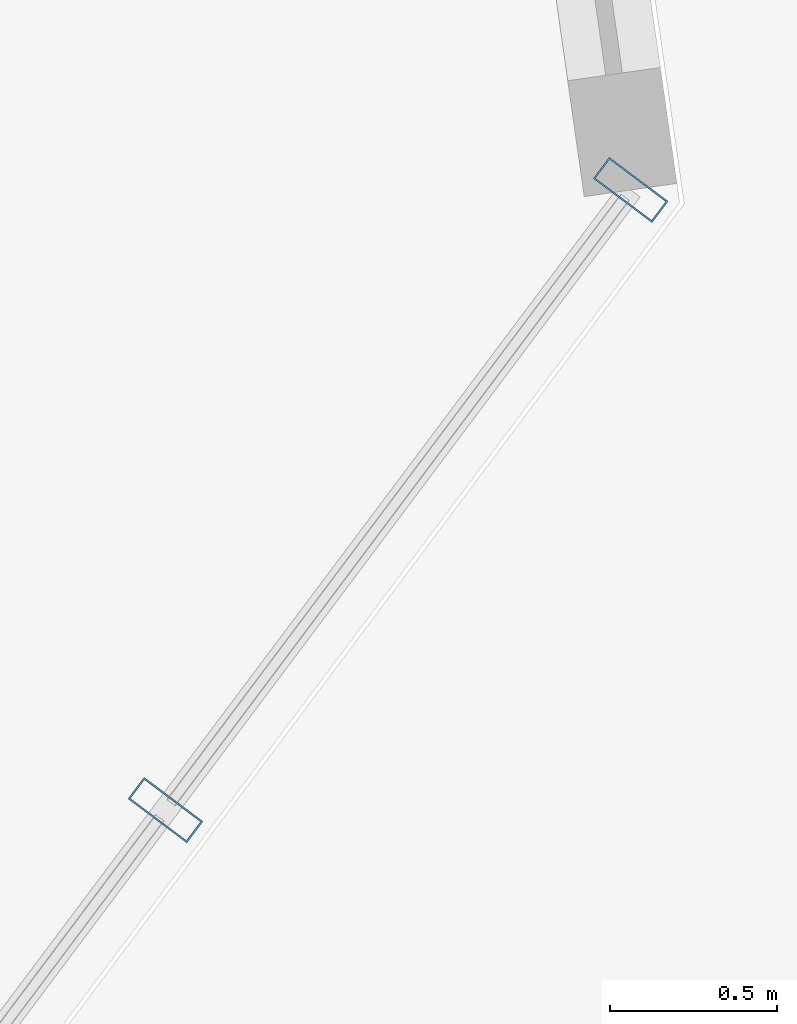
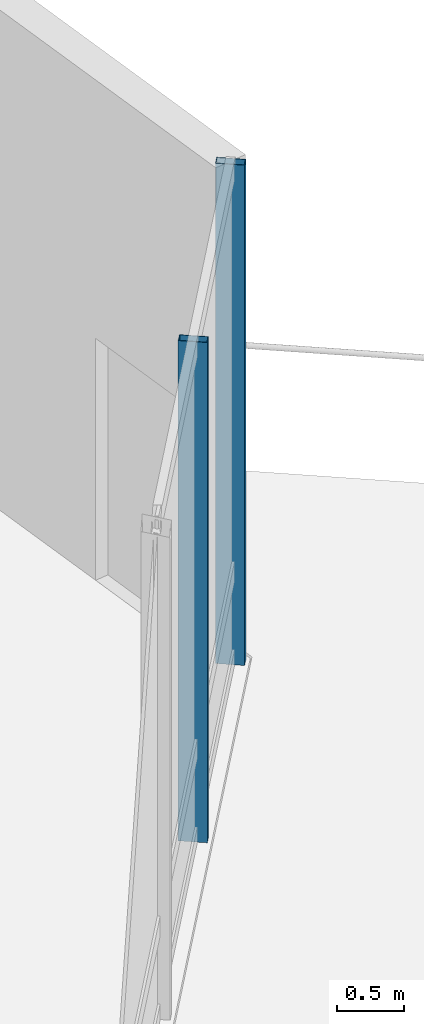
# One storey, part 14 of 30: 2 members, 1 element without a shape of its own.
"""IFC4 building model written with IfcOpenShell, lengths in metres."""

import ifcopenshell
import ifcopenshell.guid

model = None  # the IFC model being written
_history = None  # IfcOwnerHistory: only IFC2X3 demands one
_inside = {}  # id of a spatial element -> (the spatial element, [elements in it])
_under = {}  # id of a project, library or spatial element -> (it, [spatial elements below it])
_declared = {}  # id of a project -> (the project, [libraries it declares])
_typed = {}  # id of a type object -> (the type object, [elements of that type])
_made_of = {}  # id of a material, layer set ... -> (it, [elements and type objects made of it])


def new_model(schema):
    """Start an empty IFC model of exactly this schema.

    Asked for "IFC4X3", IfcOpenShell would pick the latest addendum, in which some entities
    have other attributes; the version numbers below select the first issue.
    IFC2X3 requires an IfcOwnerHistory on every rooted entity: one is made here for all.
    """
    global model, _history
    if schema == "IFC4X3":
        model = ifcopenshell.file(schema_version=(4, 3, 0, 0))
    else:
        model = ifcopenshell.file(schema=schema)
    _inside.clear()
    _under.clear()
    _declared.clear()
    _typed.clear()
    _made_of.clear()
    _history = None
    if model.schema == "IFC2X3":
        org = make("IfcOrganization", Name="unknown")
        user = make(
            "IfcPersonAndOrganization",
            ThePerson=make("IfcPerson", FamilyName="unknown"),
            TheOrganization=org,
        )
        app = make(
            "IfcApplication",
            ApplicationDeveloper=org,
            Version="unknown",
            ApplicationFullName="unknown",
            ApplicationIdentifier="unknown",
        )
        _history = make(
            "IfcOwnerHistory",
            OwningUser=user,
            OwningApplication=app,
            ChangeAction="ADDED",
            CreationDate=0,
        )
    return model


def make(cls, **values):
    """One entity of the class cls with the attributes given. An attribute that is None is left unset."""
    return model.create_entity(
        cls, **{name: value for name, value in values.items() if value is not None}
    )


def rooted(cls, **values):
    """An entity with a GlobalId (a new one), such as an element, a storey or a relation."""
    return make(cls, GlobalId=ifcopenshell.guid.new(), OwnerHistory=_history, **values)


def si_unit(unit_type, name, prefix=None):
    """IfcSIUnit, for example si_unit("LENGTHUNIT", "METRE", prefix="MILLI")."""
    return make("IfcSIUnit", UnitType=unit_type, Prefix=prefix, Name=name)


def assignment(units):
    """IfcUnitAssignment: the units of a project."""
    return None if units is None else make("IfcUnitAssignment", Units=units)


def point(xyz):
    """IfcCartesianPoint."""
    return None if xyz is None else make("IfcCartesianPoint", Coordinates=xyz)


def direction(xyz):
    """IfcDirection."""
    return None if xyz is None else make("IfcDirection", DirectionRatios=xyz)


def frame(location, z_axis=None, x_axis=None):
    """IfcAxis2Placement3D, a coordinate frame: its origin and axes. An axis left out is left unset."""
    return make(
        "IfcAxis2Placement3D",
        Location=point(location),
        Axis=direction(z_axis),
        RefDirection=direction(x_axis),
    )


def frame_2d(location, x_axis=None):
    """IfcAxis2Placement2D, a coordinate frame in the plane: its origin and x axis."""
    return make(
        "IfcAxis2Placement2D", Location=point(location), RefDirection=direction(x_axis)
    )


def origin():
    """The frame at (0, 0, 0) with its axes left unset."""
    return frame((0.0, 0.0, 0.0))


def origin_2d():
    """The frame at (0, 0) in the plane with its x axis left unset."""
    return frame_2d((0.0, 0.0))


def place(relative_to, where):
    """IfcLocalPlacement: puts the frame where relative to a parent placement (None: the world)."""
    return make(
        "IfcLocalPlacement", PlacementRelTo=relative_to, RelativePlacement=where
    )


def context(
    kind, dimensions, precision=None, world=None, true_north=None, identifier=None
):
    """IfcGeometricRepresentationContext, for example the 3D "Model" context."""
    return make(
        "IfcGeometricRepresentationContext",
        ContextIdentifier=identifier,
        ContextType=kind,
        CoordinateSpaceDimension=dimensions,
        Precision=precision,
        WorldCoordinateSystem=world,
        TrueNorth=true_north,
    )


def subcontext(parent, identifier, kind, view, scale=None):
    """IfcGeometricRepresentationSubContext, for example "Body" below "Model"."""
    return make(
        "IfcGeometricRepresentationSubContext",
        ContextIdentifier=identifier,
        ContextType=kind,
        ParentContext=parent,
        TargetScale=scale,
        TargetView=view,
    )


def project(units=None, contexts=None):
    """IfcProject with its units and contexts."""
    return rooted(
        "IfcProject",
        Name="project",
        RepresentationContexts=contexts,
        UnitsInContext=assignment(units),
    )


def spatial(cls, under=None, at=None, **own):
    """A site, building, storey or space (cls), placed at a placement, below another one or the project."""
    s = rooted(cls, ObjectPlacement=at, **own)
    if under is not None:
        _under.setdefault(under.id(), (under, []))[1].append(s)
    return s


def profile(cls, at=None, kind="AREA", **sizes):
    """A parametric profile (cls). Its sizes go by their IFC names, for example OverallWidth=200.0."""
    return make(cls, ProfileType=kind, Position=at, **sizes)


def hollow_rectangle(**sizes):
    """IfcRectangleHollowProfileDef."""
    return profile("IfcRectangleHollowProfileDef", **sizes)


def extrude(swept, where, along, depth):
    """IfcExtrudedAreaSolid: the profile swept, set in the frame where, extruded along a direction by depth."""
    return make(
        "IfcExtrudedAreaSolid",
        SweptArea=swept,
        Position=where,
        ExtrudedDirection=direction(along),
        Depth=depth,
    )


def shape(context_of_items, identifier, shape_type, items):
    """IfcShapeRepresentation: the items that make up one representation, for example the "Body"."""
    return make(
        "IfcShapeRepresentation",
        ContextOfItems=context_of_items,
        RepresentationIdentifier=identifier,
        RepresentationType=shape_type,
        Items=items,
    )


def material(Name=None, Category=None):
    """IfcMaterial."""
    return make("IfcMaterial", Name=Name, Category=Category)


def layer(
    of_material, thickness, ventilated=None, Name=None, Category=None, Priority=None
):
    """IfcMaterialLayer: one layer of a wall or slab, of a material (None: an air gap)."""
    return make(
        "IfcMaterialLayer",
        Material=of_material,
        LayerThickness=thickness,
        IsVentilated=ventilated,
        Name=Name,
        Category=Category,
        Priority=Priority,
    )


def layer_set(layers, Name=None):
    """IfcMaterialLayerSet."""
    return make("IfcMaterialLayerSet", MaterialLayers=layers, LayerSetName=Name)


def material_profile(
    of_material, cross_section, Name=None, Category=None, Priority=None
):
    """IfcMaterialProfile: a cross section and its material."""
    return make(
        "IfcMaterialProfile",
        Name=Name,
        Material=of_material,
        Profile=cross_section,
        Priority=Priority,
        Category=Category,
    )


def profile_set(profiles, Name=None, composite=None):
    """IfcMaterialProfileSet."""
    return make(
        "IfcMaterialProfileSet",
        Name=Name,
        MaterialProfiles=profiles,
        CompositeProfile=composite,
    )


def made_of(thing, what):
    """Note that an element or type object is made of a material, layer set ...; save() writes the relation."""
    if what is not None:
        _made_of.setdefault(what.id(), (what, []))[1].append(thing)
    return thing


def type_object(cls, material=None, **own):
    """A type object (cls), such as IfcWallType, which elements share."""
    return made_of(rooted(cls, **own), material)


def element(
    cls,
    number,
    at=None,
    inside=None,
    cuts=None,
    type_object=None,
    material=None,
    context=None,
    identifier="Body",
    shape_type=None,
    held_by="IfcProductDefinitionShape",
    body=None,
    shapes=None,
    **own,
):
    """One element of the class cls, such as IfcWall. Its Tag is "e" and its number.

    at: its placement. inside: the storey or other place that contains it. cuts: it is an
    opening in that element (IfcRelVoidsElement). A single representation is given by context,
    identifier, shape_type and body (its items); several are given by shapes. held_by: the class
    of the entity that holds the representations. save() writes the other relations.
    """
    e = rooted(cls, Tag="e%d" % number, ObjectPlacement=at, **own)
    if body is not None:
        shapes = [shape(context, identifier, shape_type, body)]
    if shapes is not None:
        e.Representation = make(held_by, Representations=shapes)
    if inside is not None:
        _inside.setdefault(inside.id(), (inside, []))[1].append(e)
    if cuts is not None:
        rooted(
            "IfcRelVoidsElement", RelatingBuildingElement=cuts, RelatedOpeningElement=e
        )
    if type_object is not None:
        _typed.setdefault(type_object.id(), (type_object, []))[1].append(e)
    return made_of(e, material)


def aggregate(whole, parts):
    """IfcRelAggregates: a whole, such as a stair, and the parts it consists of."""
    return rooted("IfcRelAggregates", RelatingObject=whole, RelatedObjects=parts)


def save(model, path):
    """Write the relations noted so far, then the file.

    IfcRelAggregates (storeys below a building ...), IfcRelContainedInSpatialStructure (elements
    in a storey), IfcRelDefinesByType, IfcRelAssociatesMaterial and IfcRelDeclares: one each for
    every whole, place, type object, material and project.
    """
    for whole, parts in _under.values():
        aggregate(whole, parts)
    for where, things in _inside.values():
        rooted(
            "IfcRelContainedInSpatialStructure",
            RelatedElements=things,
            RelatingStructure=where,
        )
    for kind, things in _typed.values():
        rooted("IfcRelDefinesByType", RelatedObjects=things, RelatingType=kind)
    for what, things in _made_of.values():
        rooted("IfcRelAssociatesMaterial", RelatedObjects=things, RelatingMaterial=what)
    for by, libraries in _declared.values():
        rooted("IfcRelDeclares", RelatingContext=by, RelatedDefinitions=libraries)
    model.write(path)


model = new_model("IFC4")

# Units and contexts
model_context = context("Model", 3, precision=1e-05, world=origin(), true_north=direction((0.0, 1.0)))
body_context = subcontext(model_context, "Body", "Model", "MODEL_VIEW")
ifc_project = project(units=[si_unit("LENGTHUNIT", "METRE"), si_unit("AREAUNIT", "SQUARE_METRE"), si_unit("VOLUMEUNIT", "CUBIC_METRE"), si_unit("PLANEANGLEUNIT", "RADIAN"), si_unit("MASSUNIT", "GRAM", prefix="KILO")], contexts=[model_context])

# Site, building, storey
site_placement = place(None, origin())
site = spatial("IfcSite", under=ifc_project, at=site_placement, CompositionType="ELEMENT")
building_placement = place(site_placement, origin())
building = spatial("IfcBuilding", under=site, at=building_placement, Name="Hatsunagi Terrace Concourse", CompositionType="ELEMENT")
storey_placement = place(building_placement, frame((0.0, 0.0, 130.050048828125)))
storey = spatial("IfcBuildingStorey", under=building, at=storey_placement, Name="L34", CompositionType="ELEMENT", Elevation=130.050048828125)

# Curtain wall, members
ifc_material_1 = material(Name="Anodised Aluminium Alloy 6063-T5", Category="aluminium")
ifc_layer = layer(ifc_material_1, 0.199951171875)
ifc_layer_set = layer_set([ifc_layer], Name="SkyLobbyAtrium_CW05")
curtain_wall_type = type_object("IfcCurtainWallType", Name="SkyLobbyAtrium_CW05", PredefinedType="NOTDEFINED", material=ifc_layer_set)
curtain_wall_placement = place(storey_placement, origin())
curtain_wall = element("IfcCurtainWall", 1, at=curtain_wall_placement, inside=storey, type_object=curtain_wall_type, Name="Unitised Curtain Wall CW-05 CW-L34-03", PredefinedType="NOTDEFINED")
ifc_material_2 = material(Name="Anodised Aluminium Alloy 6063-T5", Category="aluminium")
ifc_material_profile = material_profile(ifc_material_2, hollow_rectangle(XDim=0.080078125, YDim=0.219970703125, WallThickness=0.0048828125, at=origin_2d()), Name="ALU-MUL-220x80x5")
ifc_profile_set = profile_set([ifc_material_profile], Name="Anodised Aluminium Alloy 6063-T5")
member_type = type_object("IfcMemberType", Name="CurtainWallMullion_Heavy_220x80", PredefinedType="MULLION", material=ifc_profile_set)
member_1_placement = place(storey_placement, frame((60.693115234375, 25.9580078125, 0.0), z_axis=(0.0, 0.0, 1.0), x_axis=(-0.599969314634, -0.800023013105, 0.0)))
member_1 = element("IfcMember", 2, at=member_1_placement, type_object=member_type, Name="Curtain Wall Mullion MUL-01", PredefinedType="MULLION", context=body_context, shape_type="SweptSolid", body=[
    extrude(hollow_rectangle(XDim=0.080078125, YDim=0.219970703125, WallThickness=0.0048828125, at=origin_2d()), origin(), (0.0, 0.0, 1.0), 4.550048828125),
])
member_2_placement = place(storey_placement, frame((59.301025390625, 24.10205078125, 0.0), z_axis=(0.0, 0.0, 1.0), x_axis=(-0.599969314634, -0.800023013105, 0.0)))
member_2 = element("IfcMember", 3, at=member_2_placement, type_object=member_type, Name="Curtain Wall Mullion MUL-01", PredefinedType="MULLION", context=body_context, shape_type="SweptSolid", body=[
    extrude(hollow_rectangle(XDim=0.080078125, YDim=0.219970703125, WallThickness=0.0048828125, at=origin_2d()), origin(), (0.0, 0.0, 1.0), 4.550048828125),
])
aggregate(curtain_wall, [member_1, member_2])

save(model, "model.ifc")
